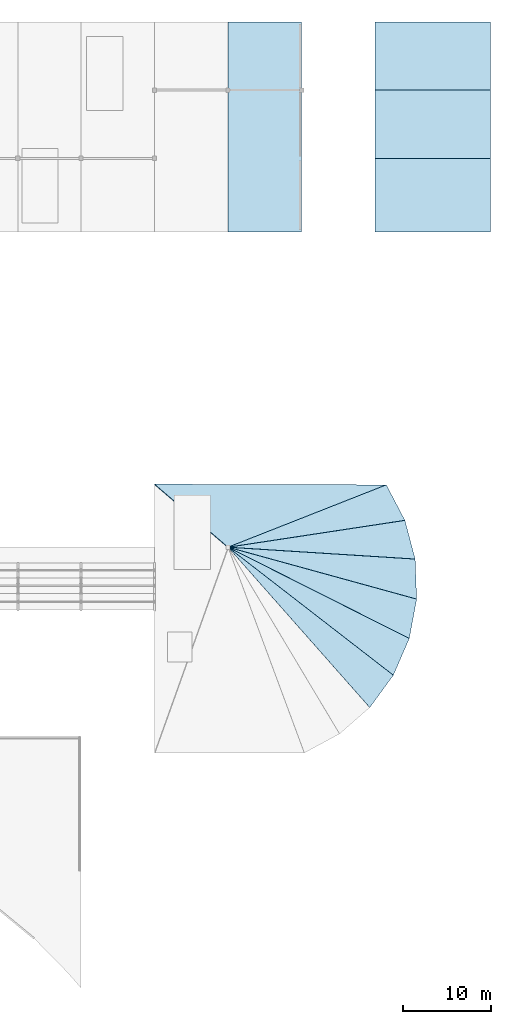
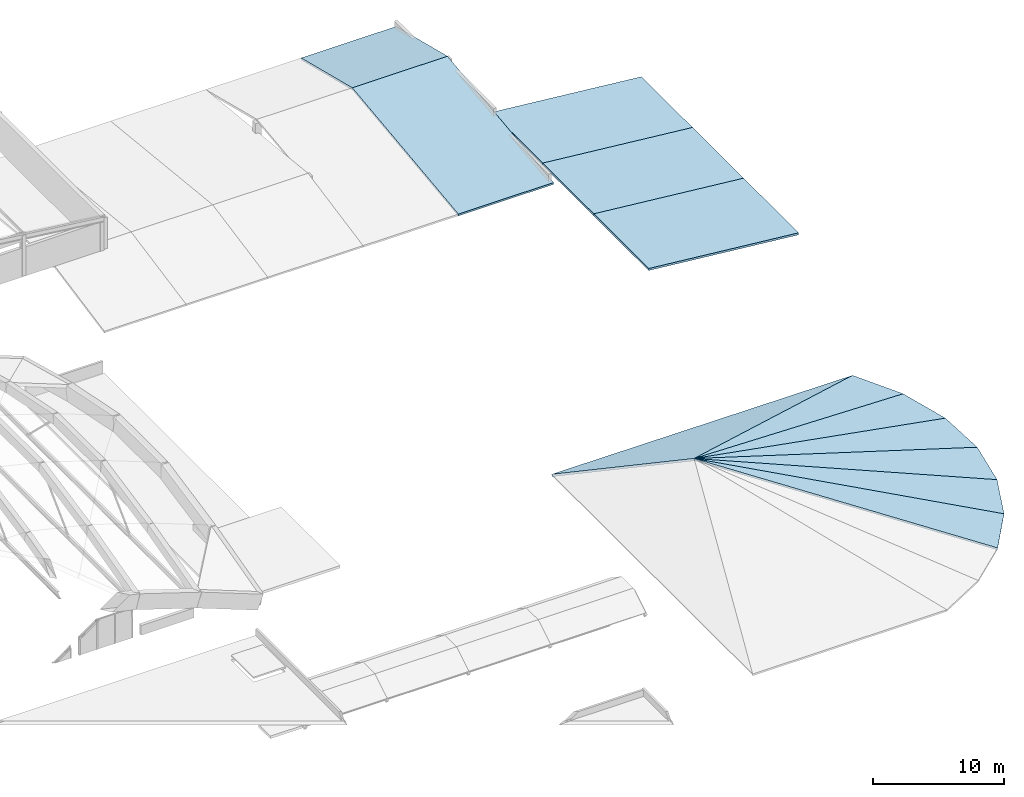
# One storey, part 11 of 27: 12 slabs, 2 elements without a shape of their own.
"""IFC4 building model written with IfcOpenShell, lengths in metres."""

from ifc_helpers import new_model, si_unit, direction, frame, origin, place, context, subcontext, project, spatial, polyline, outline, extrude, material, layer, layer_set, type_object, element, aggregate, save


model = new_model("IFC4")

# Units and contexts
model_context = context("Model", 3, precision=1e-05, world=origin(), true_north=direction((0.0, 1.0)))
body_context = subcontext(model_context, "Body", "Model", "MODEL_VIEW")
ifc_project = project(units=[si_unit("LENGTHUNIT", "METRE"), si_unit("AREAUNIT", "SQUARE_METRE"), si_unit("VOLUMEUNIT", "CUBIC_METRE"), si_unit("PLANEANGLEUNIT", "RADIAN"), si_unit("MASSUNIT", "GRAM", prefix="KILO")], contexts=[model_context])

# Site, building, storey
site_placement = place(None, origin())
site = spatial("IfcSite", under=ifc_project, at=site_placement, CompositionType="ELEMENT")
building_placement = place(site_placement, origin())
building = spatial("IfcBuilding", under=site, at=building_placement, Name="Tazoul Stagehouse", CompositionType="ELEMENT")
storey_placement = place(building_placement, frame((0.0, 0.0, 24.89990234375)))
storey = spatial("IfcBuildingStorey", under=building, at=storey_placement, Name="RF", CompositionType="ELEMENT", Elevation=24.89990234375)

# Roof, slabs
ifc_material = material(Name="Concrete C40/50", Category="concrete")
roof_type_1 = type_object("IfcRoofType", Name="Swept Rehearsal Vault Roof", PredefinedType="BARREL_ROOF", material=ifc_material)
roof_1_placement = place(storey_placement, origin())
roof_1 = element("IfcRoof", 1, at=roof_1_placement, inside=storey, type_object=roof_type_1, Name="V3 Asymmetric Swept Rehearsal Acoustic Vaults", PredefinedType="BARREL_ROOF")
ifc_layer = layer(ifc_material, 0.18994140625, Name="Concrete C40/50")
ifc_layer_set = layer_set([ifc_layer], Name="Concrete C40/50")
slab_type = type_object("IfcSlabType", Name="Sloped Studio Acoustic Roof 190", PredefinedType="ROOF", material=ifc_layer_set)
slab_1_placement = place(storey_placement, frame((133.800048828125, 87.800048828125, -7.7998046875), z_axis=(0.0, -0.119505114072, 0.992833585104), x_axis=(1.0, 0.0, 0.0)))
slab_1 = element("IfcSlab", 2, at=slab_1_placement, type_object=slab_type, Name="V3 Swept Rehearsal Vault Facet RS-02 VB.2.1", PredefinedType="ROOF", context=body_context, shape_type="SweptSolid", body=[
    extrude(outline(polyline([(0.0, 0.0), (8.39990234375, 0.0), (8.39990234375, 16.316884737713593), (0.0, 16.316884737713593), (0.0, 0.0)])), origin(), (0.0, 0.0, -1.0), 0.18994140625),
])
slab_2_placement = place(storey_placement, frame((133.800048828125, 104.0, -5.849853515625), z_axis=(0.0, 0.242528480229, 0.970144286319), x_axis=(1.0, 0.0, 0.0)))
slab_2 = element("IfcSlab", 3, at=slab_2_placement, type_object=slab_type, Name="V3 Swept Rehearsal Vault Facet RS-02 VB.2.2", PredefinedType="ROOF", context=body_context, shape_type="SweptSolid", body=[
    extrude(outline(polyline([(0.0, 0.0), (8.39990234375, 0.0), (8.39990234375, 8.040091497851929), (0.0, 8.040091497851929), (0.0, 0.0)])), origin(), (0.0, 0.0, -1.0), 0.18994140625),
])
aggregate(roof_1, [slab_1, slab_2])

# Slabs
slab_3_placement = place(storey_placement, frame((150.60009765625, 87.800048828125, -18.75), z_axis=(0.097996454961, 0.0, 0.995186763786), x_axis=(0.995186763786, 0.0, -0.097996454961)))
element("IfcSlab", 4, at=slab_3_placement, inside=storey, type_object=slab_type, Name="V3 Sloped Loading Dock Roof RS-02 (1)", PredefinedType="ROOF", context=body_context, shape_type="SweptSolid", body=[
    extrude(outline(polyline([(0.0, 0.0), (13.263792940389683, 0.0), (13.263792940389683, 8.39990234375), (0.0, 8.39990234375), (0.0, 0.0)])), origin(), (0.0, 0.0, -1.0), 0.18994140625),
])
for number, where, z_axis, x_axis, name in (
    (5, (150.60009765625, 96.199951171875, -18.75), (0.097996454961, 0.0, 0.995186763786), (0.995186763786, 0.0, -0.097996454961), "V3 Sloped Loading Dock Roof RS-02 (2)"),
    (6, (150.60009765625, 104.0, -18.75), (0.097996454961, 0.0, 0.995186763786), (0.995186763786, 0.0, -0.097996454961), "V3 Sloped Loading Dock Roof RS-02 (3)"),
):
    element("IfcSlab", number, at=place(storey_placement, frame(where, z_axis=z_axis, x_axis=x_axis)), inside=storey, type_object=slab_type, Name=name, PredefinedType="ROOF", context=body_context, shape_type="SweptSolid", body=[
        extrude(outline(polyline([(0.0, 0.0), (13.263792940389683, 0.0), (13.263792940389683, 7.800048828125), (0.0, 7.800048828125), (0.0, 0.0)])), origin(), (0.0, 0.0, -1.0), 0.18994140625),
    ])

# Roof, slabs
roof_type_2 = type_object("IfcRoofType", Name="Conical Studio Drum Parametric Roof", PredefinedType="PAVILION_ROOF", material=ifc_material)
roof_2_placement = place(storey_placement, origin())
roof_2 = element("IfcRoof", 7, at=roof_2_placement, inside=storey, type_object=roof_type_2, Name="V4 Radially Fanned Conical Studio Roof", PredefinedType="PAVILION_ROOF")
slab_4_placement = place(storey_placement, frame((133.800048828125, 51.800048828125, -8.75), z_axis=(0.001140254334, 0.37474631437, 0.927126690203), x_axis=(-0.734453676008, 0.629516475111, -0.253548428041)))
slab_4 = element("IfcSlab", 8, at=slab_4_placement, type_object=slab_type, Name="V4 Conical Studio Roof Facet RS-02 F01", PredefinedType="ROOF", context=body_context, shape_type="SweptSolid", body=[
    extrude(outline(polyline([(0.0, 0.0), (11.437272027875728, 6.661338147750939e-16), (-8.060509678231986, -17.914850272526802), (0.0, 0.0)])), origin(), (0.0, 0.0, -1.0), 0.18994140625),
])
slab_5_placement = place(storey_placement, frame((133.800048828125, 51.800048828125, -8.75), z_axis=(0.13152381949, 0.06883571061, 0.988920183762), x_axis=(0.920255241996, 0.362407669509, -0.147617650233)))
slab_5 = element("IfcSlab", 9, at=slab_5_placement, type_object=slab_type, Name="V4 Conical Studio Roof Facet RS-02 F02", PredefinedType="ROOF", context=body_context, shape_type="SweptSolid", body=[
    extrude(outline(polyline([(0.0, 0.0), (19.64468570784285, -4.996003610813204e-16), (20.127939044880083, -4.549192737132822), (0.0, 0.0)])), origin(), (0.0, 0.0, -1.0), 0.18994140625),
])
slab_6_placement = place(storey_placement, frame((133.800048828125, 51.800048828125, -8.75), z_axis=(0.136615230736, 0.03627734095, 0.98995971295), x_axis=(0.978863559229, 0.148585849624, -0.140528921239)))
slab_6 = element("IfcSlab", 10, at=slab_6_placement, type_object=slab_type, Name="V4 Conical Studio Roof Facet RS-02 F03", PredefinedType="ROOF", context=body_context, shape_type="SweptSolid", body=[
    extrude(outline(polyline([(0.0, 0.0), (20.635626589807984, 1.1796119636642288e-16), (21.127927644407247, -4.548048578598207), (0.0, 0.0)])), origin(), (0.0, 0.0, -1.0), 0.18994140625),
])
slab_7_placement = place(storey_placement, frame((133.800048828125, 51.800048828125, -8.75), z_axis=(0.134755588, 0.005008805834, 0.990866208611), x_axis=(0.988970824858, -0.062707342983, -0.134180835877)))
slab_7 = element("IfcSlab", 11, at=slab_7_placement, type_object=slab_type, Name="V4 Conical Studio Roof Facet RS-02 F04", PredefinedType="ROOF", context=body_context, shape_type="SweptSolid", body=[
    extrude(outline(polyline([(0.0, 0.0), (21.611896548442875, 2.0816681711721685e-16), (22.06661302584922, -4.55203495110187), (0.0, 0.0)])), origin(), (0.0, 0.0, -1.0), 0.18994140625),
])
slab_8_placement = place(storey_placement, frame((133.800048828125, 51.800048828125, -8.75), z_axis=(0.126928790024, -0.023812932751, 0.991625950899), x_axis=(0.95615972826, -0.263046322196, -0.128705891211)))
slab_8 = element("IfcSlab", 12, at=slab_8_placement, type_object=slab_type, Name="V4 Conical Studio Roof Facet RS-02 F05", PredefinedType="ROOF", context=body_context, shape_type="SweptSolid", body=[
    extrude(outline(polyline([(0.0, 0.0), (22.531232381488408, 1.2975731600306517e-15), (22.9073869733897, -4.559042538360505), (0.0, 0.0)])), origin(), (0.0, 0.0, -1.0), 0.18994140625),
])
slab_9_placement = place(storey_placement, frame((133.800048828125, 51.800048828125, -8.75), z_axis=(0.114157573111, -0.049346602098, 0.9922363435), x_axis=(0.886255022519, -0.446247649066, -0.124157443446)))
slab_9 = element("IfcSlab", 13, at=slab_9_placement, type_object=slab_type, Name="V4 Conical Studio Roof Facet RS-02 F06", PredefinedType="ROOF", context=body_context, shape_type="SweptSolid", body=[
    extrude(outline(polyline([(0.0, 0.0), (23.35665315954331, 7.632783294297951e-17), (23.62182734692385, -4.567058060752295), (0.0, 0.0)])), origin(), (0.0, 0.0, -1.0), 0.18994140625),
])
slab_10_placement = place(storey_placement, frame((133.800048828125, 51.800048828125, -8.75), z_axis=(0.097395094752, -0.071088444779, 0.992703696244), x_axis=(0.784926606745, -0.607751891757, -0.120531573003)))
slab_10 = element("IfcSlab", 14, at=slab_10_placement, type_object=slab_type, Name="V4 Conical Studio Roof Facet RS-02 F07", PredefinedType="ROOF", context=body_context, shape_type="SweptSolid", body=[
    extrude(outline(polyline([(0.0, 0.0), (24.059275686066744, -2.5153490401663703e-15), (24.18799654959869, -4.5728422241453055), (0.0, 0.0)])), origin(), (0.0, 0.0, -1.0), 0.18994140625),
])
aggregate(roof_2, [slab_4, slab_5, slab_6, slab_7, slab_8, slab_9, slab_10])

save(model, "model.ifc")
